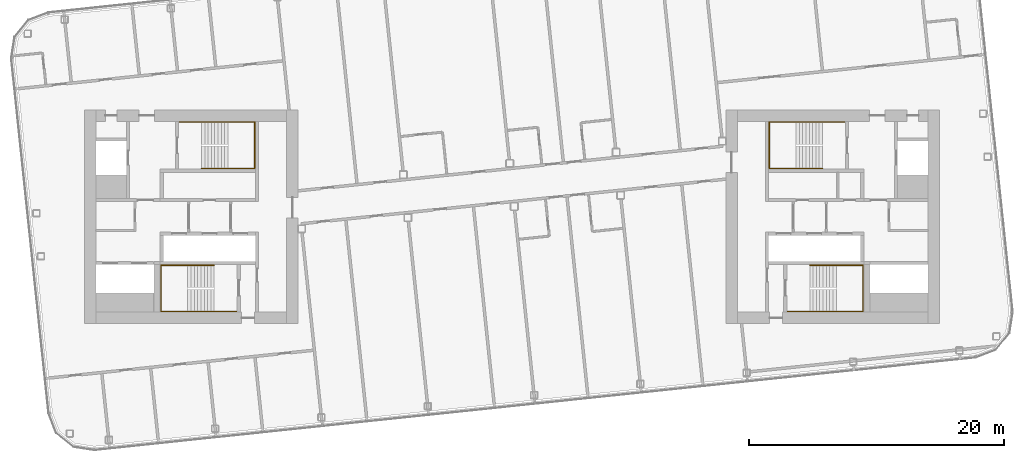
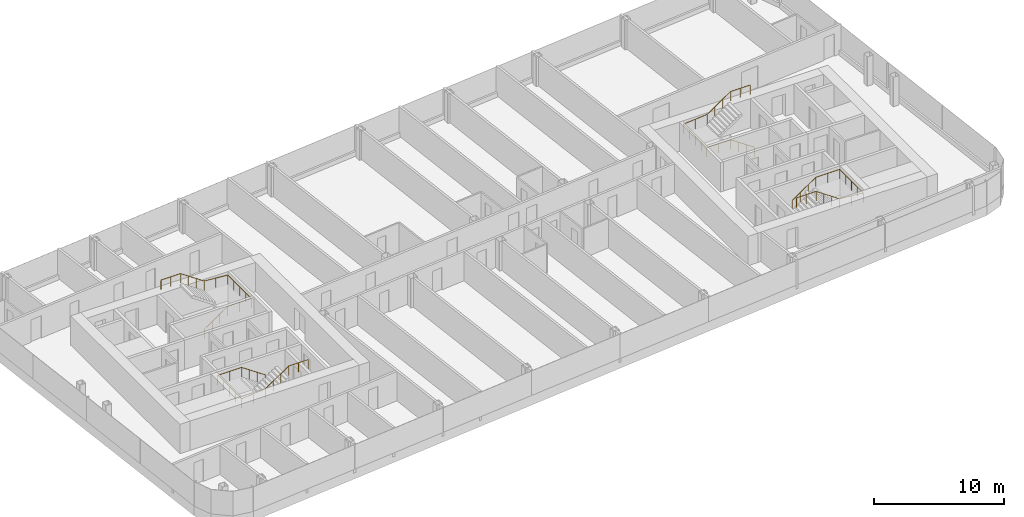
# One storey, part 27 of 27: 4 railings.
"""IFC4 building model written with IfcOpenShell, lengths in metres."""

from ifc_helpers import new_model, si_unit, direction, frame, origin, origin_2d, place, context, subcontext, project, spatial, circle, extrude, material, type_object, element, save


model = new_model("IFC4")

# Units and contexts
model_context = context("Model", 3, precision=1e-05, world=origin(), true_north=direction((0.0, 1.0)))
body_context = subcontext(model_context, "Body", "Model", "MODEL_VIEW")
ifc_project = project(units=[si_unit("LENGTHUNIT", "METRE"), si_unit("AREAUNIT", "SQUARE_METRE"), si_unit("VOLUMEUNIT", "CUBIC_METRE"), si_unit("PLANEANGLEUNIT", "RADIAN"), si_unit("MASSUNIT", "GRAM", prefix="KILO")], contexts=[model_context])

# Site, building, storey
site_placement = place(None, origin())
site = spatial("IfcSite", under=ifc_project, at=site_placement, CompositionType="ELEMENT")
building_placement = place(site_placement, origin())
building = spatial("IfcBuilding", under=site, at=building_placement, Name="Hakoniwa Tower and Hamabe Station Hall", CompositionType="ELEMENT")
storey_placement = place(building_placement, frame((0.0, 0.0, 261.39990234375)))
storey = spatial("IfcBuildingStorey", under=building, at=storey_placement, Name="L74", CompositionType="ELEMENT", Elevation=261.39990234375)

# Railings
ifc_material = material(Name="Stainless steel SUS304", Category="steel")
railing_type = type_object("IfcRailingType", Name="STAIR HANDRAIL 900", PredefinedType="HANDRAIL", material=ifc_material)
railing_1_placement = place(storey_placement, frame((-24.39990234375, 3.81005859375, 0.177978515625)))
element("IfcRailing", 1, at=railing_1_placement, inside=storey, type_object=railing_type, Name="Handrail ST-1 L74 1", PredefinedType="HANDRAIL", context=body_context, shape_type="SweptSolid", body=[
    extrude(circle(Radius=0.02392578125, at=origin_2d()), frame((0.0, 0.0, 0.8759765625), z_axis=(0.825478349766, 0.0, 0.564433781827), x_axis=(0.0, 1.0, 0.0)), (0.0, 0.0, 1.0), 2.51953125),
    extrude(circle(Radius=0.02392578125, at=origin_2d()), frame((2.079833984375, 0.0, 2.2978515625), z_axis=(1.0, 0.0, 0.0), x_axis=(0.0, 1.0, 0.0)), (0.0, 0.0, 1.0), 2.110107421875),
    extrude(circle(Radius=0.02392578125, at=origin_2d()), frame((4.18994140625, 0.0, 2.2978515625), z_axis=(0.0, 1.0, 0.0), x_axis=(-1.0, 0.0, 0.0)), (0.0, 0.0, 1.0), 3.6298828125),
    extrude(circle(Radius=0.02392578125, at=origin_2d()), frame((4.18994140625, 3.6298828125, 2.2978515625), z_axis=(-0.996471417081, 0.0, 0.083932800143), x_axis=(0.0, -1.0, 0.0)), (0.0, 0.0, 1.0), 2.11767578125),
    extrude(circle(Radius=0.02392578125, at=origin_2d()), frame((2.079833984375, 3.6298828125, 2.4755859375), z_axis=(-0.825433201882, 0.0, 0.564499804456), x_axis=(0.0, -1.0, 0.0)), (0.0, 0.0, 1.0), 2.519775390625),
    extrude(circle(Radius=0.02392578125, at=origin_2d()), frame((0.0, 3.6298828125, 3.89794921875), z_axis=(-1.0, 0.0, 0.0), x_axis=(0.0, -1.0, 0.0)), (0.0, 0.0, 1.0), 1.739990234375),
    extrude(circle(Radius=0.02099609375, at=origin_2d()), origin(), (0.0, 0.0, 1.0), 0.851806640625),
    extrude(circle(Radius=0.02099609375, at=origin_2d()), frame((0.693359375, 0.0, 0.47412109375)), (0.0, 0.0, 1.0), 0.851806640625),
    extrude(circle(Radius=0.02099609375, at=origin_2d()), frame((1.386474609375, 0.0, 0.947998046875)), (0.0, 0.0, 1.0), 0.851806640625),
    extrude(circle(Radius=0.02099609375, at=origin_2d()), frame((2.079833984375, 0.0, 1.422119140625)), (0.0, 0.0, 1.0), 0.851806640625),
    extrude(circle(Radius=0.02099609375, at=origin_2d()), frame((3.134765625, 0.0, 1.422119140625)), (0.0, 0.0, 1.0), 0.851806640625),
    extrude(circle(Radius=0.02099609375, at=origin_2d()), frame((4.18994140625, 0.0, 1.422119140625)), (0.0, 0.0, 1.0), 0.851806640625),
    extrude(circle(Radius=0.02099609375, at=origin_2d()), frame((4.18994140625, 0.907470703125, 1.422119140625)), (0.0, 0.0, 1.0), 0.851806640625),
    extrude(circle(Radius=0.02099609375, at=origin_2d()), frame((4.18994140625, 1.81494140625, 1.422119140625)), (0.0, 0.0, 1.0), 0.851806640625),
    extrude(circle(Radius=0.02099609375, at=origin_2d()), frame((4.18994140625, 2.722412109375, 1.422119140625)), (0.0, 0.0, 1.0), 0.851806640625),
    extrude(circle(Radius=0.02099609375, at=origin_2d()), frame((4.18994140625, 3.6298828125, 1.422119140625)), (0.0, 0.0, 1.0), 0.851806640625),
    extrude(circle(Radius=0.02099609375, at=origin_2d()), frame((3.134765625, 3.6298828125, 1.510986328125)), (0.0, 0.0, 1.0), 0.851806640625),
    extrude(circle(Radius=0.02099609375, at=origin_2d()), frame((2.079833984375, 3.6298828125, 1.599853515625)), (0.0, 0.0, 1.0), 0.851806640625),
    extrude(circle(Radius=0.02099609375, at=origin_2d()), frame((1.386474609375, 3.6298828125, 2.073974609375)), (0.0, 0.0, 1.0), 0.851806640625),
    extrude(circle(Radius=0.02099609375, at=origin_2d()), frame((0.693359375, 3.6298828125, 2.548095703125)), (0.0, 0.0, 1.0), 0.851806640625),
    extrude(circle(Radius=0.02099609375, at=origin_2d()), frame((0.0, 3.6298828125, 3.022216796875)), (0.0, 0.0, 1.0), 0.851806640625),
    extrude(circle(Radius=0.02099609375, at=origin_2d()), frame((-0.8701171875, 3.6298828125, 3.022216796875)), (0.0, 0.0, 1.0), 0.851806640625),
    extrude(circle(Radius=0.02099609375, at=origin_2d()), frame((-1.739990234375, 3.6298828125, 3.022216796875)), (0.0, 0.0, 1.0), 0.851806640625),
])
railing_2_placement = place(storey_placement, frame((-23.39990234375, -3.81005859375, 0.177978515625)))
element("IfcRailing", 2, at=railing_2_placement, inside=storey, type_object=railing_type, Name="Handrail ST-2 L74 1", PredefinedType="HANDRAIL", context=body_context, shape_type="SweptSolid", body=[
    extrude(circle(Radius=0.02392578125, at=origin_2d()), frame((0.0, 0.0, 0.8759765625), z_axis=(-0.82550921652, 0.0, 0.564388636881), x_axis=(0.0, -1.0, 0.0)), (0.0, 0.0, 1.0), 2.519775390625),
    extrude(circle(Radius=0.02392578125, at=origin_2d()), frame((-2.080078125, 0.0, 2.2978515625), z_axis=(-1.0, 0.0, 0.0), x_axis=(0.0, -1.0, 0.0)), (0.0, 0.0, 1.0), 2.110107421875),
    extrude(circle(Radius=0.02392578125, at=origin_2d()), frame((-4.190185546875, 0.0, 2.2978515625), z_axis=(0.0, -1.0, 0.0), x_axis=(1.0, 0.0, 0.0)), (0.0, 0.0, 1.0), 3.6298828125),
    extrude(circle(Radius=0.02392578125, at=origin_2d()), frame((-4.190185546875, -3.6298828125, 2.2978515625), z_axis=(0.996471417081, 0.0, 0.083932800143), x_axis=(0.0, 1.0, 0.0)), (0.0, 0.0, 1.0), 2.11767578125),
    extrude(circle(Radius=0.02392578125, at=origin_2d()), frame((-2.080078125, -3.6298828125, 2.4755859375), z_axis=(0.825464074169, 0.0, 0.564454659168), x_axis=(0.0, 1.0, 0.0)), (0.0, 0.0, 1.0), 2.519775390625),
    extrude(circle(Radius=0.02392578125, at=origin_2d()), frame((0.0, -3.6298828125, 3.89794921875), z_axis=(1.0, 0.0, 0.0), x_axis=(0.0, 1.0, 0.0)), (0.0, 0.0, 1.0), 1.739990234375),
    extrude(circle(Radius=0.02099609375, at=origin_2d()), origin(), (0.0, 0.0, 1.0), 0.851806640625),
    extrude(circle(Radius=0.02099609375, at=origin_2d()), frame((-0.693359375, 0.0, 0.47412109375)), (0.0, 0.0, 1.0), 0.851806640625),
    extrude(circle(Radius=0.02099609375, at=origin_2d()), frame((-1.38671875, 0.0, 0.947998046875)), (0.0, 0.0, 1.0), 0.851806640625),
    extrude(circle(Radius=0.02099609375, at=origin_2d()), frame((-2.080078125, 0.0, 1.422119140625)), (0.0, 0.0, 1.0), 0.851806640625),
    extrude(circle(Radius=0.02099609375, at=origin_2d()), frame((-3.13525390625, 0.0, 1.422119140625)), (0.0, 0.0, 1.0), 0.851806640625),
    extrude(circle(Radius=0.02099609375, at=origin_2d()), frame((-4.190185546875, 0.0, 1.422119140625)), (0.0, 0.0, 1.0), 0.851806640625),
    extrude(circle(Radius=0.02099609375, at=origin_2d()), frame((-4.190185546875, -0.907470703125, 1.422119140625)), (0.0, 0.0, 1.0), 0.851806640625),
    extrude(circle(Radius=0.02099609375, at=origin_2d()), frame((-4.190185546875, -1.81494140625, 1.422119140625)), (0.0, 0.0, 1.0), 0.851806640625),
    extrude(circle(Radius=0.02099609375, at=origin_2d()), frame((-4.190185546875, -2.722412109375, 1.422119140625)), (0.0, 0.0, 1.0), 0.851806640625),
    extrude(circle(Radius=0.02099609375, at=origin_2d()), frame((-4.190185546875, -3.6298828125, 1.422119140625)), (0.0, 0.0, 1.0), 0.851806640625),
    extrude(circle(Radius=0.02099609375, at=origin_2d()), frame((-3.13525390625, -3.6298828125, 1.510986328125)), (0.0, 0.0, 1.0), 0.851806640625),
    extrude(circle(Radius=0.02099609375, at=origin_2d()), frame((-2.080078125, -3.6298828125, 1.599853515625)), (0.0, 0.0, 1.0), 0.851806640625),
    extrude(circle(Radius=0.02099609375, at=origin_2d()), frame((-1.38671875, -3.6298828125, 2.073974609375)), (0.0, 0.0, 1.0), 0.851806640625),
    extrude(circle(Radius=0.02099609375, at=origin_2d()), frame((-0.693359375, -3.6298828125, 2.548095703125)), (0.0, 0.0, 1.0), 0.851806640625),
    extrude(circle(Radius=0.02099609375, at=origin_2d()), frame((0.0, -3.6298828125, 3.022216796875)), (0.0, 0.0, 1.0), 0.851806640625),
    extrude(circle(Radius=0.02099609375, at=origin_2d()), frame((0.8701171875, -3.6298828125, 3.022216796875)), (0.0, 0.0, 1.0), 0.851806640625),
    extrude(circle(Radius=0.02099609375, at=origin_2d()), frame((1.739990234375, -3.6298828125, 3.022216796875)), (0.0, 0.0, 1.0), 0.851806640625),
])
railing_3_placement = place(storey_placement, frame((24.39990234375, 3.81005859375, 0.177978515625)))
element("IfcRailing", 3, at=railing_3_placement, inside=storey, type_object=railing_type, Name="Handrail ST-3 L74 1", PredefinedType="HANDRAIL", context=body_context, shape_type="SweptSolid", body=[
    extrude(circle(Radius=0.02392578125, at=origin_2d()), frame((0.0, 0.0, 0.8759765625), z_axis=(-0.825478349766, 0.0, 0.564433781827), x_axis=(0.0, -1.0, 0.0)), (0.0, 0.0, 1.0), 2.51953125),
    extrude(circle(Radius=0.02392578125, at=origin_2d()), frame((-2.079833984375, 0.0, 2.2978515625), z_axis=(-1.0, 0.0, 0.0), x_axis=(0.0, -1.0, 0.0)), (0.0, 0.0, 1.0), 2.110107421875),
    extrude(circle(Radius=0.02392578125, at=origin_2d()), frame((-4.18994140625, 0.0, 2.2978515625), z_axis=(0.0, 1.0, 0.0), x_axis=(-1.0, 0.0, 0.0)), (0.0, 0.0, 1.0), 3.6298828125),
    extrude(circle(Radius=0.02392578125, at=origin_2d()), frame((-4.18994140625, 3.6298828125, 2.2978515625), z_axis=(0.996471417081, 0.0, 0.083932800143), x_axis=(0.0, 1.0, 0.0)), (0.0, 0.0, 1.0), 2.11767578125),
    extrude(circle(Radius=0.02392578125, at=origin_2d()), frame((-2.079833984375, 3.6298828125, 2.4755859375), z_axis=(0.825433201882, 0.0, 0.564499804456), x_axis=(0.0, 1.0, 0.0)), (0.0, 0.0, 1.0), 2.519775390625),
    extrude(circle(Radius=0.02392578125, at=origin_2d()), frame((0.0, 3.6298828125, 3.89794921875), z_axis=(1.0, 0.0, 0.0), x_axis=(0.0, 1.0, 0.0)), (0.0, 0.0, 1.0), 1.739990234375),
    extrude(circle(Radius=0.02099609375, at=origin_2d()), origin(), (0.0, 0.0, 1.0), 0.851806640625),
    extrude(circle(Radius=0.02099609375, at=origin_2d()), frame((-0.693359375, 0.0, 0.47412109375)), (0.0, 0.0, 1.0), 0.851806640625),
    extrude(circle(Radius=0.02099609375, at=origin_2d()), frame((-1.386474609375, 0.0, 0.947998046875)), (0.0, 0.0, 1.0), 0.851806640625),
    extrude(circle(Radius=0.02099609375, at=origin_2d()), frame((-2.079833984375, 0.0, 1.422119140625)), (0.0, 0.0, 1.0), 0.851806640625),
    extrude(circle(Radius=0.02099609375, at=origin_2d()), frame((-3.134765625, 0.0, 1.422119140625)), (0.0, 0.0, 1.0), 0.851806640625),
    extrude(circle(Radius=0.02099609375, at=origin_2d()), frame((-4.18994140625, 0.0, 1.422119140625)), (0.0, 0.0, 1.0), 0.851806640625),
    extrude(circle(Radius=0.02099609375, at=origin_2d()), frame((-4.18994140625, 0.907470703125, 1.422119140625)), (0.0, 0.0, 1.0), 0.851806640625),
    extrude(circle(Radius=0.02099609375, at=origin_2d()), frame((-4.18994140625, 1.81494140625, 1.422119140625)), (0.0, 0.0, 1.0), 0.851806640625),
    extrude(circle(Radius=0.02099609375, at=origin_2d()), frame((-4.18994140625, 2.722412109375, 1.422119140625)), (0.0, 0.0, 1.0), 0.851806640625),
    extrude(circle(Radius=0.02099609375, at=origin_2d()), frame((-4.18994140625, 3.6298828125, 1.422119140625)), (0.0, 0.0, 1.0), 0.851806640625),
    extrude(circle(Radius=0.02099609375, at=origin_2d()), frame((-3.134765625, 3.6298828125, 1.510986328125)), (0.0, 0.0, 1.0), 0.851806640625),
    extrude(circle(Radius=0.02099609375, at=origin_2d()), frame((-2.079833984375, 3.6298828125, 1.599853515625)), (0.0, 0.0, 1.0), 0.851806640625),
    extrude(circle(Radius=0.02099609375, at=origin_2d()), frame((-1.386474609375, 3.6298828125, 2.073974609375)), (0.0, 0.0, 1.0), 0.851806640625),
    extrude(circle(Radius=0.02099609375, at=origin_2d()), frame((-0.693359375, 3.6298828125, 2.548095703125)), (0.0, 0.0, 1.0), 0.851806640625),
    extrude(circle(Radius=0.02099609375, at=origin_2d()), frame((0.0, 3.6298828125, 3.022216796875)), (0.0, 0.0, 1.0), 0.851806640625),
    extrude(circle(Radius=0.02099609375, at=origin_2d()), frame((0.8701171875, 3.6298828125, 3.022216796875)), (0.0, 0.0, 1.0), 0.851806640625),
    extrude(circle(Radius=0.02099609375, at=origin_2d()), frame((1.739990234375, 3.6298828125, 3.022216796875)), (0.0, 0.0, 1.0), 0.851806640625),
])
railing_4_placement = place(storey_placement, frame((23.39990234375, -3.81005859375, 0.177978515625)))
element("IfcRailing", 4, at=railing_4_placement, inside=storey, type_object=railing_type, Name="Handrail ST-4 L74 1", PredefinedType="HANDRAIL", context=body_context, shape_type="SweptSolid", body=[
    extrude(circle(Radius=0.02392578125, at=origin_2d()), frame((0.0, 0.0, 0.8759765625), z_axis=(0.82550921652, 0.0, 0.564388636881), x_axis=(0.0, 1.0, 0.0)), (0.0, 0.0, 1.0), 2.519775390625),
    extrude(circle(Radius=0.02392578125, at=origin_2d()), frame((2.080078125, 0.0, 2.2978515625), z_axis=(1.0, 0.0, 0.0), x_axis=(0.0, 1.0, 0.0)), (0.0, 0.0, 1.0), 2.110107421875),
    extrude(circle(Radius=0.02392578125, at=origin_2d()), frame((4.190185546875, 0.0, 2.2978515625), z_axis=(0.0, -1.0, 0.0), x_axis=(1.0, 0.0, 0.0)), (0.0, 0.0, 1.0), 3.6298828125),
    extrude(circle(Radius=0.02392578125, at=origin_2d()), frame((4.190185546875, -3.6298828125, 2.2978515625), z_axis=(-0.996471417081, 0.0, 0.083932800143), x_axis=(0.0, -1.0, 0.0)), (0.0, 0.0, 1.0), 2.11767578125),
    extrude(circle(Radius=0.02392578125, at=origin_2d()), frame((2.080078125, -3.6298828125, 2.4755859375), z_axis=(-0.825464074169, 0.0, 0.564454659168), x_axis=(0.0, -1.0, 0.0)), (0.0, 0.0, 1.0), 2.519775390625),
    extrude(circle(Radius=0.02392578125, at=origin_2d()), frame((0.0, -3.6298828125, 3.89794921875), z_axis=(-1.0, 0.0, 0.0), x_axis=(0.0, -1.0, 0.0)), (0.0, 0.0, 1.0), 1.739990234375),
    extrude(circle(Radius=0.02099609375, at=origin_2d()), origin(), (0.0, 0.0, 1.0), 0.851806640625),
    extrude(circle(Radius=0.02099609375, at=origin_2d()), frame((0.693359375, 0.0, 0.47412109375)), (0.0, 0.0, 1.0), 0.851806640625),
    extrude(circle(Radius=0.02099609375, at=origin_2d()), frame((1.38671875, 0.0, 0.947998046875)), (0.0, 0.0, 1.0), 0.851806640625),
    extrude(circle(Radius=0.02099609375, at=origin_2d()), frame((2.080078125, 0.0, 1.422119140625)), (0.0, 0.0, 1.0), 0.851806640625),
    extrude(circle(Radius=0.02099609375, at=origin_2d()), frame((3.13525390625, 0.0, 1.422119140625)), (0.0, 0.0, 1.0), 0.851806640625),
    extrude(circle(Radius=0.02099609375, at=origin_2d()), frame((4.190185546875, 0.0, 1.422119140625)), (0.0, 0.0, 1.0), 0.851806640625),
    extrude(circle(Radius=0.02099609375, at=origin_2d()), frame((4.190185546875, -0.907470703125, 1.422119140625)), (0.0, 0.0, 1.0), 0.851806640625),
    extrude(circle(Radius=0.02099609375, at=origin_2d()), frame((4.190185546875, -1.81494140625, 1.422119140625)), (0.0, 0.0, 1.0), 0.851806640625),
    extrude(circle(Radius=0.02099609375, at=origin_2d()), frame((4.190185546875, -2.722412109375, 1.422119140625)), (0.0, 0.0, 1.0), 0.851806640625),
    extrude(circle(Radius=0.02099609375, at=origin_2d()), frame((4.190185546875, -3.6298828125, 1.422119140625)), (0.0, 0.0, 1.0), 0.851806640625),
    extrude(circle(Radius=0.02099609375, at=origin_2d()), frame((3.13525390625, -3.6298828125, 1.510986328125)), (0.0, 0.0, 1.0), 0.851806640625),
    extrude(circle(Radius=0.02099609375, at=origin_2d()), frame((2.080078125, -3.6298828125, 1.599853515625)), (0.0, 0.0, 1.0), 0.851806640625),
    extrude(circle(Radius=0.02099609375, at=origin_2d()), frame((1.38671875, -3.6298828125, 2.073974609375)), (0.0, 0.0, 1.0), 0.851806640625),
    extrude(circle(Radius=0.02099609375, at=origin_2d()), frame((0.693359375, -3.6298828125, 2.548095703125)), (0.0, 0.0, 1.0), 0.851806640625),
    extrude(circle(Radius=0.02099609375, at=origin_2d()), frame((0.0, -3.6298828125, 3.022216796875)), (0.0, 0.0, 1.0), 0.851806640625),
    extrude(circle(Radius=0.02099609375, at=origin_2d()), frame((-0.8701171875, -3.6298828125, 3.022216796875)), (0.0, 0.0, 1.0), 0.851806640625),
    extrude(circle(Radius=0.02099609375, at=origin_2d()), frame((-1.739990234375, -3.6298828125, 3.022216796875)), (0.0, 0.0, 1.0), 0.851806640625),
])

save(model, "model.ifc")
